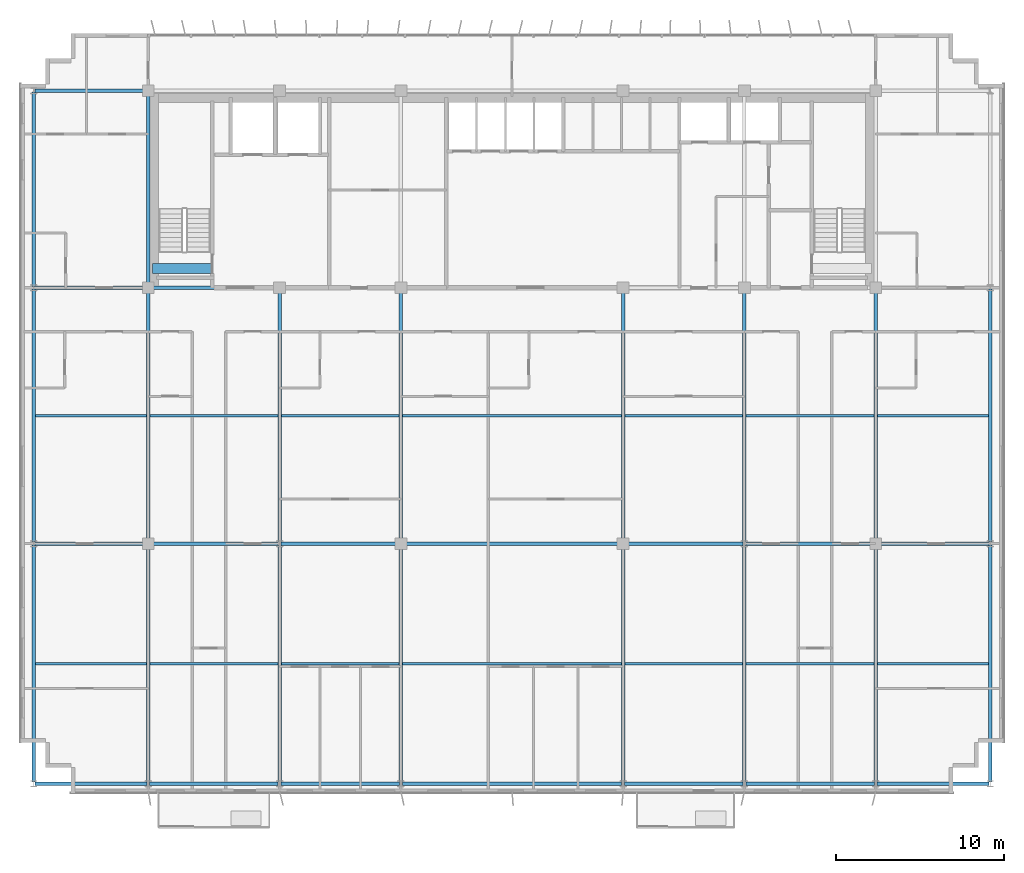
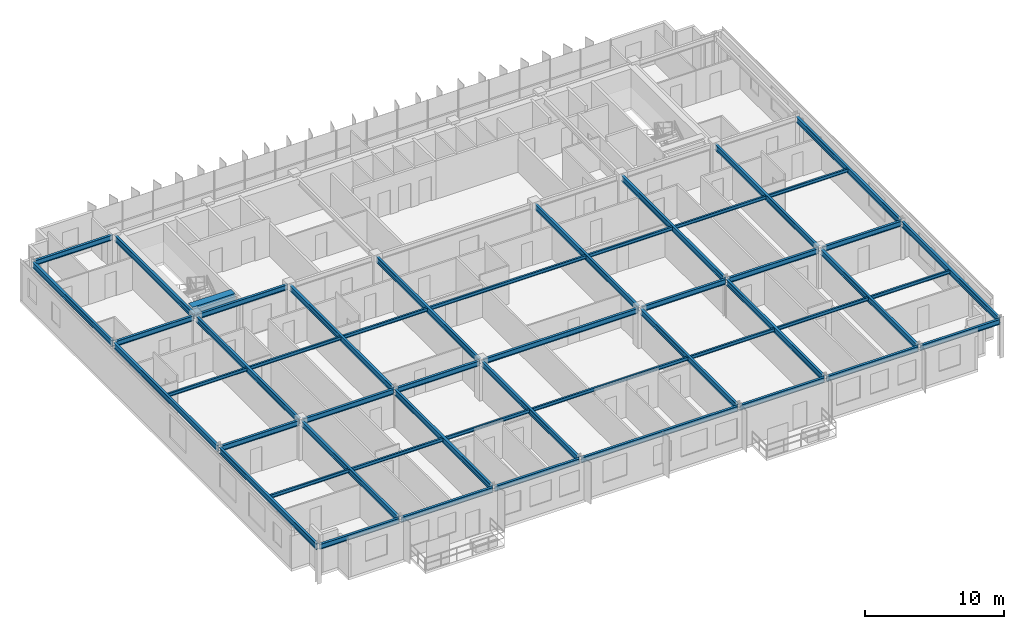
# One storey, part 5 of 23: 50 beams.
"""IFC4 building model written with IfcOpenShell, lengths in metres."""

from ifc_helpers import new_model, si_unit, direction, frame, origin, origin_2d, place, context, subcontext, project, spatial, rectangle, i_section, extrude, source, transform, mapped, material, material_profile, profile_set, type_object, element, save


model = new_model("IFC4")

# Units and contexts
model_context = context("Model", 3, precision=1e-05, world=origin(), true_north=direction((0.0, 1.0)))
body_context = subcontext(model_context, "Body", "Model", "MODEL_VIEW")
ifc_project = project(units=[si_unit("LENGTHUNIT", "METRE"), si_unit("AREAUNIT", "SQUARE_METRE"), si_unit("VOLUMEUNIT", "CUBIC_METRE"), si_unit("PLANEANGLEUNIT", "RADIAN"), si_unit("MASSUNIT", "GRAM", prefix="KILO")], contexts=[model_context])

# Site, building, storey
site_placement = place(None, origin())
site = spatial("IfcSite", under=ifc_project, at=site_placement, CompositionType="ELEMENT")
building_placement = place(site_placement, origin())
building = spatial("IfcBuilding", under=site, at=building_placement, Name="Trelvane Seafront Commons", CompositionType="ELEMENT")
storey_placement = place(building_placement, frame((0.0, 0.0, 212.10009765625)))
storey = spatial("IfcBuildingStorey", under=building, at=storey_placement, Name="L55", CompositionType="ELEMENT", Elevation=212.10009765625)

# Beams
ifc_material_1 = material(Name="Concrete C60/75", Category="concrete")
ifc_material_profile_1 = material_profile(ifc_material_1, rectangle(XDim=0.60009765625, YDim=0.89990234375, at=origin_2d()), Name="RC-600x900")
ifc_profile_set_1 = profile_set([ifc_material_profile_1], Name="Concrete C60/75")
beam_type_1 = type_object("IfcBeamType", Name="STR-LNT-RC600x900", PredefinedType="LINTEL", material=ifc_profile_set_1)
shared_shape_1 = source(origin(), body_context, "Body", "SweptSolid", [
    extrude(rectangle(XDim=0.60009765625, YDim=0.89990234375, at=origin_2d()), origin(), (0.0, 0.0, 1.0), 3.5498046875),
])
beam_1_placement = place(storey_placement, frame((15.85009765625, 34.550048828125, 2.909912109375), z_axis=(1.0, 0.0, 0.0), x_axis=(0.0, 1.0, 0.0)))
element("IfcBeam", 1, at=beam_1_placement, inside=storey, type_object=beam_type_1, Name="L55 Core Coupling Lintel Beam CB-67", PredefinedType="LINTEL", context=body_context, shape_type="MappedRepresentation", body=[
    mapped(shared_shape_1, transform((0.0, 0.0, 0.0), x_axis=(1.0, 0.0, 0.0), y_axis=(0.0, 1.0, 0.0), z_axis=(0.0, 0.0, 1.0), scale=1.0)),
])
ifc_material_2 = material(Name="Steel SM355 (S355)", Category="steel")
ifc_material_profile_2 = material_profile(ifc_material_2, i_section(OverallWidth=0.199951171875, OverallDepth=0.5, WebThickness=0.010009765625, FlangeThickness=0.01611328125, at=origin_2d()), Name="H-500x200x10x16")
ifc_profile_set_2 = profile_set([ifc_material_profile_2], Name="Steel SM355 (S355)")
beam_type_2 = type_object("IfcBeamType", Name="STR-BM-H500", PredefinedType="BEAM", material=ifc_profile_set_2)
shared_shape_2 = source(origin(), body_context, "Body", "SweptSolid", [
    extrude(i_section(OverallWidth=0.199951171875, OverallDepth=0.5, WebThickness=0.010009765625, FlangeThickness=0.01611328125, at=origin_2d()), origin(), (0.0, 0.0, 1.0), 14.89990234375),
])
for number, where, z_axis, x_axis, name in (
    (2, (15.60009765625, 18.35009765625, 3.10986328125), (0.0, 1.0, 0.0), (-1.0, 0.0, 0.0), "L55 Primary Girder G-33"),
    (3, (30.60009765625, 18.35009765625, 3.10986328125), (0.0, 1.0, 0.0), (-1.0, 0.0, 0.0), "L55 Primary Girder G-39"),
    (4, (43.800048828125, 18.35009765625, 3.10986328125), (0.0, 1.0, 0.0), (-1.0, 0.0, 0.0), "L55 Primary Girder G-42"),
    (5, (58.800048828125, 18.35009765625, 3.10986328125), (0.0, 1.0, 0.0), (-1.0, 0.0, 0.0), "L55 Primary Girder G-48"),
):
    element("IfcBeam", number, at=place(storey_placement, frame(where, z_axis=z_axis, x_axis=x_axis)), inside=storey, type_object=beam_type_2, Name=name, PredefinedType="BEAM", context=body_context, shape_type="MappedRepresentation", body=[
        mapped(shared_shape_2, transform((0.0, 0.0, 0.0), x_axis=(1.0, 0.0, 0.0), y_axis=(0.0, 1.0, 0.0), z_axis=(0.0, 0.0, 1.0), scale=1.0)),
    ])
shared_shape_3 = source(origin(), body_context, "Body", "SweptSolid", [
    extrude(i_section(OverallWidth=0.199951171875, OverallDepth=0.5, WebThickness=0.010009765625, FlangeThickness=0.01611328125, at=origin_2d()), origin(), (0.0, 0.0, 1.0), 11.39990234375),
])
beam_2_placement = place(storey_placement, frame((15.60009765625, 33.550048828125, 3.10986328125), z_axis=(0.0, 1.0, 0.0), x_axis=(-1.0, 0.0, 0.0)))
element("IfcBeam", 6, at=beam_2_placement, inside=storey, type_object=beam_type_2, Name="L55 Primary Girder G-34", PredefinedType="BEAM", context=body_context, shape_type="MappedRepresentation", body=[
    mapped(shared_shape_3, transform((0.0, 0.0, 0.0), x_axis=(1.0, 0.0, 0.0), y_axis=(0.0, 1.0, 0.0), z_axis=(0.0, 0.0, 1.0), scale=1.0)),
])
ifc_material_profile_3 = material_profile(ifc_material_2, i_section(OverallWidth=0.199951171875, OverallDepth=0.449951171875, WebThickness=0.009033203125, FlangeThickness=0.013916015625, at=origin_2d()), Name="H-450x200x9x14")
ifc_profile_set_3 = profile_set([ifc_material_profile_3], Name="Steel SM355 (S355)")
beam_type_3 = type_object("IfcBeamType", Name="STR-SPD-H450", PredefinedType="SPANDREL", material=ifc_profile_set_3)
shared_shape_4 = source(origin(), body_context, "Body", "SweptSolid", [
    extrude(i_section(OverallWidth=0.199951171875, OverallDepth=0.449951171875, WebThickness=0.009033203125, FlangeThickness=0.013916015625, at=origin_2d()), origin(), (0.0, 0.0, 1.0), 6.625),
])
for number, where, z_axis, x_axis, name in (
    (7, (8.887451171875, 3.949951171875, 3.135009765625), (1.0, 0.0, 0.0), (0.0, 1.0, 0.0), "L55 Primary Girder G-01"),
    (8, (58.887451171875, 3.949951171875, 3.135009765625), (1.0, 0.0, 0.0), (0.0, 1.0, 0.0), "L55 Primary Girder G-07"),
):
    element("IfcBeam", number, at=place(storey_placement, frame(where, z_axis=z_axis, x_axis=x_axis)), inside=storey, type_object=beam_type_3, Name=name, PredefinedType="SPANDREL", context=body_context, shape_type="MappedRepresentation", body=[
        mapped(shared_shape_4, transform((0.0, 0.0, 0.0), x_axis=(1.0, 0.0, 0.0), y_axis=(0.0, 1.0, 0.0), z_axis=(0.0, 0.0, 1.0), scale=1.0)),
    ])
shared_shape_5 = source(origin(), body_context, "Body", "SweptSolid", [
    extrude(i_section(OverallWidth=0.199951171875, OverallDepth=0.449951171875, WebThickness=0.009033203125, FlangeThickness=0.013916015625, at=origin_2d()), origin(), (0.0, 0.0, 1.0), 7.625),
])
for number, where, z_axis, x_axis, name in (
    (9, (15.6875, 3.949951171875, 3.135009765625), (1.0, 0.0, 0.0), (0.0, 1.0, 0.0), "L55 Primary Girder G-02"),
    (10, (51.08740234375, 3.949951171875, 3.135009765625), (1.0, 0.0, 0.0), (0.0, 1.0, 0.0), "L55 Primary Girder G-06"),
):
    element("IfcBeam", number, at=place(storey_placement, frame(where, z_axis=z_axis, x_axis=x_axis)), inside=storey, type_object=beam_type_3, Name=name, PredefinedType="SPANDREL", context=body_context, shape_type="MappedRepresentation", body=[
        mapped(shared_shape_5, transform((0.0, 0.0, 0.0), x_axis=(1.0, 0.0, 0.0), y_axis=(0.0, 1.0, 0.0), z_axis=(0.0, 0.0, 1.0), scale=1.0)),
    ])
shared_shape_6 = source(origin(), body_context, "Body", "SweptSolid", [
    extrude(i_section(OverallWidth=0.199951171875, OverallDepth=0.449951171875, WebThickness=0.009033203125, FlangeThickness=0.013916015625, at=origin_2d()), origin(), (0.0, 0.0, 1.0), 7.02490234375),
])
beam_3_placement = place(storey_placement, frame((23.487548828125, 3.949951171875, 3.135009765625), z_axis=(1.0, 0.0, 0.0), x_axis=(0.0, 1.0, 0.0)))
element("IfcBeam", 11, at=beam_3_placement, inside=storey, type_object=beam_type_3, Name="L55 Primary Girder G-03", PredefinedType="SPANDREL", context=body_context, shape_type="MappedRepresentation", body=[
    mapped(shared_shape_6, transform((0.0, 0.0, 0.0), x_axis=(1.0, 0.0, 0.0), y_axis=(0.0, 1.0, 0.0), z_axis=(0.0, 0.0, 1.0), scale=1.0)),
])
shared_shape_7 = source(origin(), body_context, "Body", "SweptSolid", [
    extrude(i_section(OverallWidth=0.199951171875, OverallDepth=0.449951171875, WebThickness=0.009033203125, FlangeThickness=0.013916015625, at=origin_2d()), origin(), (0.0, 0.0, 1.0), 7.025146484375),
])
beam_4_placement = place(storey_placement, frame((43.887451171875, 3.949951171875, 3.135009765625), z_axis=(1.0, 0.0, 0.0), x_axis=(0.0, 1.0, 0.0)))
element("IfcBeam", 12, at=beam_4_placement, inside=storey, type_object=beam_type_3, Name="L55 Primary Girder G-05", PredefinedType="SPANDREL", context=body_context, shape_type="MappedRepresentation", body=[
    mapped(shared_shape_7, transform((0.0, 0.0, 0.0), x_axis=(1.0, 0.0, 0.0), y_axis=(0.0, 1.0, 0.0), z_axis=(0.0, 0.0, 1.0), scale=1.0)),
])
shared_shape_8 = source(origin(), body_context, "Body", "SweptSolid", [
    extrude(i_section(OverallWidth=0.199951171875, OverallDepth=0.449951171875, WebThickness=0.009033203125, FlangeThickness=0.013916015625, at=origin_2d()), origin(), (0.0, 0.0, 1.0), 6.5625),
])
for number, where, z_axis, x_axis, name in (
    (13, (8.887451171875, 18.199951171875, 3.135009765625), (1.0, 0.0, 0.0), (0.0, 1.0, 0.0), "L55 Primary Girder G-08"),
    (14, (58.949951171875, 18.199951171875, 3.135009765625), (1.0, 0.0, 0.0), (0.0, 1.0, 0.0), "L55 Primary Girder G-14"),
    (15, (8.887451171875, 33.39990234375, 3.135009765625), (1.0, 0.0, 0.0), (0.0, 1.0, 0.0), "L55 Primary Girder G-15"),
    (16, (8.887451171875, 45.10009765625, 3.135009765625), (1.0, 0.0, 0.0), (0.0, 1.0, 0.0), "L55 Primary Girder G-22"),
):
    element("IfcBeam", number, at=place(storey_placement, frame(where, z_axis=z_axis, x_axis=x_axis)), inside=storey, type_object=beam_type_3, Name=name, PredefinedType="SPANDREL", context=body_context, shape_type="MappedRepresentation", body=[
        mapped(shared_shape_8, transform((0.0, 0.0, 0.0), x_axis=(1.0, 0.0, 0.0), y_axis=(0.0, 1.0, 0.0), z_axis=(0.0, 0.0, 1.0), scale=1.0)),
    ])
shared_shape_9 = source(origin(), body_context, "Body", "SweptSolid", [
    extrude(i_section(OverallWidth=0.199951171875, OverallDepth=0.449951171875, WebThickness=0.009033203125, FlangeThickness=0.013916015625, at=origin_2d()), origin(), (0.0, 0.0, 1.0), 7.5625),
])
for number, where, z_axis, x_axis, name in (
    (17, (15.75, 18.199951171875, 3.135009765625), (1.0, 0.0, 0.0), (0.0, 1.0, 0.0), "L55 Primary Girder G-09"),
    (18, (51.08740234375, 18.199951171875, 3.135009765625), (1.0, 0.0, 0.0), (0.0, 1.0, 0.0), "L55 Primary Girder G-13"),
):
    element("IfcBeam", number, at=place(storey_placement, frame(where, z_axis=z_axis, x_axis=x_axis)), inside=storey, type_object=beam_type_3, Name=name, PredefinedType="SPANDREL", context=body_context, shape_type="MappedRepresentation", body=[
        mapped(shared_shape_9, transform((0.0, 0.0, 0.0), x_axis=(1.0, 0.0, 0.0), y_axis=(0.0, 1.0, 0.0), z_axis=(0.0, 0.0, 1.0), scale=1.0)),
    ])
shared_shape_10 = source(origin(), body_context, "Body", "SweptSolid", [
    extrude(i_section(OverallWidth=0.199951171875, OverallDepth=0.449951171875, WebThickness=0.009033203125, FlangeThickness=0.013916015625, at=origin_2d()), origin(), (0.0, 0.0, 1.0), 6.96240234375),
])
beam_5_placement = place(storey_placement, frame((23.487548828125, 18.199951171875, 3.135009765625), z_axis=(1.0, 0.0, 0.0), x_axis=(0.0, 1.0, 0.0)))
element("IfcBeam", 19, at=beam_5_placement, inside=storey, type_object=beam_type_3, Name="L55 Primary Girder G-10", PredefinedType="SPANDREL", context=body_context, shape_type="MappedRepresentation", body=[
    mapped(shared_shape_10, transform((0.0, 0.0, 0.0), x_axis=(1.0, 0.0, 0.0), y_axis=(0.0, 1.0, 0.0), z_axis=(0.0, 0.0, 1.0), scale=1.0)),
])
shared_shape_11 = source(origin(), body_context, "Body", "SweptSolid", [
    extrude(i_section(OverallWidth=0.199951171875, OverallDepth=0.449951171875, WebThickness=0.009033203125, FlangeThickness=0.013916015625, at=origin_2d()), origin(), (0.0, 0.0, 1.0), 6.962646484375),
])
beam_6_placement = place(storey_placement, frame((43.949951171875, 18.199951171875, 3.135009765625), z_axis=(1.0, 0.0, 0.0), x_axis=(0.0, 1.0, 0.0)))
element("IfcBeam", 20, at=beam_6_placement, inside=storey, type_object=beam_type_3, Name="L55 Primary Girder G-12", PredefinedType="SPANDREL", context=body_context, shape_type="MappedRepresentation", body=[
    mapped(shared_shape_11, transform((0.0, 0.0, 0.0), x_axis=(1.0, 0.0, 0.0), y_axis=(0.0, 1.0, 0.0), z_axis=(0.0, 0.0, 1.0), scale=1.0)),
])
shared_shape_12 = source(origin(), body_context, "Body", "SweptSolid", [
    extrude(i_section(OverallWidth=0.199951171875, OverallDepth=0.449951171875, WebThickness=0.009033203125, FlangeThickness=0.013916015625, at=origin_2d()), origin(), (0.0, 0.0, 1.0), 7.5),
])
beam_7_placement = place(storey_placement, frame((15.75, 33.39990234375, 3.135009765625), z_axis=(1.0, 0.0, 0.0), x_axis=(0.0, 1.0, 0.0)))
element("IfcBeam", 21, at=beam_7_placement, inside=storey, type_object=beam_type_3, Name="L55 Primary Girder G-16", PredefinedType="SPANDREL", context=body_context, shape_type="MappedRepresentation", body=[
    mapped(shared_shape_12, transform((0.0, 0.0, 0.0), x_axis=(1.0, 0.0, 0.0), y_axis=(0.0, 1.0, 0.0), z_axis=(0.0, 0.0, 1.0), scale=1.0)),
])
shared_shape_13 = source(origin(), body_context, "Body", "SweptSolid", [
    extrude(i_section(OverallWidth=0.199951171875, OverallDepth=0.449951171875, WebThickness=0.009033203125, FlangeThickness=0.013916015625, at=origin_2d()), origin(), (0.0, 0.0, 1.0), 12.89990234375),
])
beam_8_placement = place(storey_placement, frame((30.75, 18.199951171875, 3.135009765625), z_axis=(1.0, 0.0, 0.0), x_axis=(0.0, 1.0, 0.0)))
element("IfcBeam", 22, at=beam_8_placement, inside=storey, type_object=beam_type_3, Name="L55 Primary Girder G-11", PredefinedType="SPANDREL", context=body_context, shape_type="MappedRepresentation", body=[
    mapped(shared_shape_13, transform((0.0, 0.0, 0.0), x_axis=(1.0, 0.0, 0.0), y_axis=(0.0, 1.0, 0.0), z_axis=(0.0, 0.0, 1.0), scale=1.0)),
])
shared_shape_14 = source(origin(), body_context, "Body", "SweptSolid", [
    extrude(i_section(OverallWidth=0.199951171875, OverallDepth=0.5, WebThickness=0.010009765625, FlangeThickness=0.01611328125, at=origin_2d()), origin(), (0.0, 0.0, 1.0), 14.074951171875),
])
for number, where, z_axis, x_axis, name in (
    (23, (8.800048828125, 4.03759765625, 3.10986328125), (0.0, 1.0, 0.0), (-1.0, 0.0, 0.0), "L55 Primary Girder G-29"),
    (24, (23.39990234375, 4.03759765625, 3.10986328125), (0.0, 1.0, 0.0), (-1.0, 0.0, 0.0), "L55 Primary Girder G-35"),
    (25, (51.0, 4.03759765625, 3.10986328125), (0.0, 1.0, 0.0), (-1.0, 0.0, 0.0), "L55 Primary Girder G-44"),
    (26, (65.60009765625, 4.03759765625, 3.10986328125), (0.0, 1.0, 0.0), (-1.0, 0.0, 0.0), "L55 Primary Girder G-50"),
):
    element("IfcBeam", number, at=place(storey_placement, frame(where, z_axis=z_axis, x_axis=x_axis)), inside=storey, type_object=beam_type_2, Name=name, PredefinedType="BEAM", context=body_context, shape_type="MappedRepresentation", body=[
        mapped(shared_shape_14, transform((0.0, 0.0, 0.0), x_axis=(1.0, 0.0, 0.0), y_axis=(0.0, 1.0, 0.0), z_axis=(0.0, 0.0, 1.0), scale=1.0)),
    ])
shared_shape_15 = source(origin(), body_context, "Body", "SweptSolid", [
    extrude(i_section(OverallWidth=0.199951171875, OverallDepth=0.5, WebThickness=0.010009765625, FlangeThickness=0.01611328125, at=origin_2d()), origin(), (0.0, 0.0, 1.0), 15.02490234375),
])
for number, where, z_axis, x_axis, name in (
    (27, (8.800048828125, 18.28759765625, 3.10986328125), (0.0, 1.0, 0.0), (-1.0, 0.0, 0.0), "L55 Primary Girder G-30"),
    (28, (65.60009765625, 18.28759765625, 3.10986328125), (0.0, 1.0, 0.0), (-1.0, 0.0, 0.0), "L55 Primary Girder G-51"),
):
    element("IfcBeam", number, at=place(storey_placement, frame(where, z_axis=z_axis, x_axis=x_axis)), inside=storey, type_object=beam_type_2, Name=name, PredefinedType="BEAM", context=body_context, shape_type="MappedRepresentation", body=[
        mapped(shared_shape_15, transform((0.0, 0.0, 0.0), x_axis=(1.0, 0.0, 0.0), y_axis=(0.0, 1.0, 0.0), z_axis=(0.0, 0.0, 1.0), scale=1.0)),
    ])
shared_shape_16 = source(origin(), body_context, "Body", "SweptSolid", [
    extrude(i_section(OverallWidth=0.199951171875, OverallDepth=0.5, WebThickness=0.010009765625, FlangeThickness=0.01611328125, at=origin_2d()), origin(), (0.0, 0.0, 1.0), 11.52490234375),
])
beam_9_placement = place(storey_placement, frame((8.800048828125, 33.487548828125, 3.10986328125), z_axis=(0.0, 1.0, 0.0), x_axis=(-1.0, 0.0, 0.0)))
element("IfcBeam", 29, at=beam_9_placement, inside=storey, type_object=beam_type_2, Name="L55 Primary Girder G-31", PredefinedType="BEAM", context=body_context, shape_type="MappedRepresentation", body=[
    mapped(shared_shape_16, transform((0.0, 0.0, 0.0), x_axis=(1.0, 0.0, 0.0), y_axis=(0.0, 1.0, 0.0), z_axis=(0.0, 0.0, 1.0), scale=1.0)),
])
shared_shape_17 = source(origin(), body_context, "Body", "SweptSolid", [
    extrude(i_section(OverallWidth=0.199951171875, OverallDepth=0.5, WebThickness=0.010009765625, FlangeThickness=0.01611328125, at=origin_2d()), origin(), (0.0, 0.0, 1.0), 14.012451171875),
])
for number, where, z_axis, x_axis, name in (
    (30, (15.60009765625, 4.03759765625, 3.10986328125), (0.0, 1.0, 0.0), (-1.0, 0.0, 0.0), "L55 Primary Girder G-32"),
    (31, (30.60009765625, 4.03759765625, 3.10986328125), (0.0, 1.0, 0.0), (-1.0, 0.0, 0.0), "L55 Primary Girder G-38"),
    (32, (43.800048828125, 4.03759765625, 3.10986328125), (0.0, 1.0, 0.0), (-1.0, 0.0, 0.0), "L55 Primary Girder G-41"),
    (33, (58.800048828125, 4.03759765625, 3.10986328125), (0.0, 1.0, 0.0), (-1.0, 0.0, 0.0), "L55 Primary Girder G-47"),
):
    element("IfcBeam", number, at=place(storey_placement, frame(where, z_axis=z_axis, x_axis=x_axis)), inside=storey, type_object=beam_type_2, Name=name, PredefinedType="BEAM", context=body_context, shape_type="MappedRepresentation", body=[
        mapped(shared_shape_17, transform((0.0, 0.0, 0.0), x_axis=(1.0, 0.0, 0.0), y_axis=(0.0, 1.0, 0.0), z_axis=(0.0, 0.0, 1.0), scale=1.0)),
    ])
shared_shape_18 = source(origin(), body_context, "Body", "SweptSolid", [
    extrude(i_section(OverallWidth=0.199951171875, OverallDepth=0.5, WebThickness=0.010009765625, FlangeThickness=0.01611328125, at=origin_2d()), origin(), (0.0, 0.0, 1.0), 14.96240234375),
])
for number, where, z_axis, x_axis, name in (
    (34, (23.39990234375, 18.28759765625, 3.10986328125), (0.0, 1.0, 0.0), (-1.0, 0.0, 0.0), "L55 Primary Girder G-36"),
    (35, (51.0, 18.28759765625, 3.10986328125), (0.0, 1.0, 0.0), (-1.0, 0.0, 0.0), "L55 Primary Girder G-45"),
):
    element("IfcBeam", number, at=place(storey_placement, frame(where, z_axis=z_axis, x_axis=x_axis)), inside=storey, type_object=beam_type_2, Name=name, PredefinedType="BEAM", context=body_context, shape_type="MappedRepresentation", body=[
        mapped(shared_shape_18, transform((0.0, 0.0, 0.0), x_axis=(1.0, 0.0, 0.0), y_axis=(0.0, 1.0, 0.0), z_axis=(0.0, 0.0, 1.0), scale=1.0)),
    ])
ifc_material_profile_4 = material_profile(ifc_material_2, i_section(OverallWidth=0.14990234375, OverallDepth=0.300048828125, WebThickness=0.006591796875, FlangeThickness=0.009033203125, at=origin_2d()), Name="H-300x150x6.5x9")
ifc_profile_set_4 = profile_set([ifc_material_profile_4], Name="Steel SM355 (S355)")
beam_type_4 = type_object("IfcBeamType", Name="STR-JST-H300", PredefinedType="JOIST", material=ifc_profile_set_4)
shared_shape_19 = source(origin(), body_context, "Body", "SweptSolid", [
    extrude(i_section(OverallWidth=0.14990234375, OverallDepth=0.300048828125, WebThickness=0.006591796875, FlangeThickness=0.009033203125, at=origin_2d()), origin(), (0.0, 0.0, 1.0), 6.60009765625),
])
for number, where, z_axis, x_axis, name in (
    (36, (8.89990234375, 11.074951171875, 3.2099609375), (1.0, 0.0, 0.0), (0.0, 1.0, 0.0), "L55 Secondary Floor Joist B-53"),
    (37, (58.89990234375, 11.074951171875, 3.2099609375), (1.0, 0.0, 0.0), (0.0, 1.0, 0.0), "L55 Secondary Floor Joist B-59"),
    (38, (8.89990234375, 25.800048828125, 3.2099609375), (1.0, 0.0, 0.0), (0.0, 1.0, 0.0), "L55 Secondary Floor Joist B-60"),
    (39, (58.89990234375, 25.800048828125, 3.2099609375), (1.0, 0.0, 0.0), (0.0, 1.0, 0.0), "L55 Secondary Floor Joist B-66"),
):
    element("IfcBeam", number, at=place(storey_placement, frame(where, z_axis=z_axis, x_axis=x_axis)), inside=storey, type_object=beam_type_4, Name=name, PredefinedType="JOIST", context=body_context, shape_type="MappedRepresentation", body=[
        mapped(shared_shape_19, transform((0.0, 0.0, 0.0), x_axis=(1.0, 0.0, 0.0), y_axis=(0.0, 1.0, 0.0), z_axis=(0.0, 0.0, 1.0), scale=1.0)),
    ])
shared_shape_20 = source(origin(), body_context, "Body", "SweptSolid", [
    extrude(i_section(OverallWidth=0.14990234375, OverallDepth=0.300048828125, WebThickness=0.006591796875, FlangeThickness=0.009033203125, at=origin_2d()), origin(), (0.0, 0.0, 1.0), 7.60009765625),
])
for number, where, z_axis, x_axis, name in (
    (40, (15.699951171875, 11.074951171875, 3.2099609375), (1.0, 0.0, 0.0), (0.0, 1.0, 0.0), "L55 Secondary Floor Joist B-54"),
    (41, (15.699951171875, 25.800048828125, 3.2099609375), (1.0, 0.0, 0.0), (0.0, 1.0, 0.0), "L55 Secondary Floor Joist B-61"),
):
    element("IfcBeam", number, at=place(storey_placement, frame(where, z_axis=z_axis, x_axis=x_axis)), inside=storey, type_object=beam_type_4, Name=name, PredefinedType="JOIST", context=body_context, shape_type="MappedRepresentation", body=[
        mapped(shared_shape_20, transform((0.0, 0.0, 0.0), x_axis=(1.0, 0.0, 0.0), y_axis=(0.0, 1.0, 0.0), z_axis=(0.0, 0.0, 1.0), scale=1.0)),
    ])
shared_shape_21 = source(origin(), body_context, "Body", "SweptSolid", [
    extrude(i_section(OverallWidth=0.14990234375, OverallDepth=0.300048828125, WebThickness=0.006591796875, FlangeThickness=0.009033203125, at=origin_2d()), origin(), (0.0, 0.0, 1.0), 7.0),
])
for number, where, z_axis, x_axis, name in (
    (42, (23.5, 11.074951171875, 3.2099609375), (1.0, 0.0, 0.0), (0.0, 1.0, 0.0), "L55 Secondary Floor Joist B-55"),
    (43, (43.89990234375, 11.074951171875, 3.2099609375), (1.0, 0.0, 0.0), (0.0, 1.0, 0.0), "L55 Secondary Floor Joist B-57"),
    (44, (23.5, 25.800048828125, 3.2099609375), (1.0, 0.0, 0.0), (0.0, 1.0, 0.0), "L55 Secondary Floor Joist B-62"),
    (45, (43.89990234375, 25.800048828125, 3.2099609375), (1.0, 0.0, 0.0), (0.0, 1.0, 0.0), "L55 Secondary Floor Joist B-64"),
):
    element("IfcBeam", number, at=place(storey_placement, frame(where, z_axis=z_axis, x_axis=x_axis)), inside=storey, type_object=beam_type_4, Name=name, PredefinedType="JOIST", context=body_context, shape_type="MappedRepresentation", body=[
        mapped(shared_shape_21, transform((0.0, 0.0, 0.0), x_axis=(1.0, 0.0, 0.0), y_axis=(0.0, 1.0, 0.0), z_axis=(0.0, 0.0, 1.0), scale=1.0)),
    ])
shared_shape_22 = source(origin(), body_context, "Body", "SweptSolid", [
    extrude(i_section(OverallWidth=0.14990234375, OverallDepth=0.300048828125, WebThickness=0.006591796875, FlangeThickness=0.009033203125, at=origin_2d()), origin(), (0.0, 0.0, 1.0), 7.599853515625),
])
for number, where, z_axis, x_axis, name in (
    (46, (51.10009765625, 11.074951171875, 3.2099609375), (1.0, 0.0, 0.0), (0.0, 1.0, 0.0), "L55 Secondary Floor Joist B-58"),
    (47, (51.10009765625, 25.800048828125, 3.2099609375), (1.0, 0.0, 0.0), (0.0, 1.0, 0.0), "L55 Secondary Floor Joist B-65"),
):
    element("IfcBeam", number, at=place(storey_placement, frame(where, z_axis=z_axis, x_axis=x_axis)), inside=storey, type_object=beam_type_4, Name=name, PredefinedType="JOIST", context=body_context, shape_type="MappedRepresentation", body=[
        mapped(shared_shape_22, transform((0.0, 0.0, 0.0), x_axis=(1.0, 0.0, 0.0), y_axis=(0.0, 1.0, 0.0), z_axis=(0.0, 0.0, 1.0), scale=1.0)),
    ])
shared_shape_23 = source(origin(), body_context, "Body", "SweptSolid", [
    extrude(i_section(OverallWidth=0.14990234375, OverallDepth=0.300048828125, WebThickness=0.006591796875, FlangeThickness=0.009033203125, at=origin_2d()), origin(), (0.0, 0.0, 1.0), 13.0),
])
for number, where, z_axis, x_axis, name in (
    (48, (30.699951171875, 11.074951171875, 3.2099609375), (1.0, 0.0, 0.0), (0.0, 1.0, 0.0), "L55 Secondary Floor Joist B-56"),
    (49, (30.699951171875, 25.800048828125, 3.2099609375), (1.0, 0.0, 0.0), (0.0, 1.0, 0.0), "L55 Secondary Floor Joist B-63"),
):
    element("IfcBeam", number, at=place(storey_placement, frame(where, z_axis=z_axis, x_axis=x_axis)), inside=storey, type_object=beam_type_4, Name=name, PredefinedType="JOIST", context=body_context, shape_type="MappedRepresentation", body=[
        mapped(shared_shape_23, transform((0.0, 0.0, 0.0), x_axis=(1.0, 0.0, 0.0), y_axis=(0.0, 1.0, 0.0), z_axis=(0.0, 0.0, 1.0), scale=1.0)),
    ])
shared_shape_24 = source(origin(), body_context, "Body", "SweptSolid", [
    extrude(i_section(OverallWidth=0.199951171875, OverallDepth=0.449951171875, WebThickness=0.009033203125, FlangeThickness=0.013916015625, at=origin_2d()), origin(), (0.0, 0.0, 1.0), 13.02490234375),
])
beam_10_placement = place(storey_placement, frame((30.6875, 3.949951171875, 3.135009765625), z_axis=(1.0, 0.0, 0.0), x_axis=(0.0, 1.0, 0.0)))
element("IfcBeam", 50, at=beam_10_placement, inside=storey, type_object=beam_type_3, Name="L55 Primary Girder G-04", PredefinedType="SPANDREL", context=body_context, shape_type="MappedRepresentation", body=[
    mapped(shared_shape_24, transform((0.0, 0.0, 0.0), x_axis=(1.0, 0.0, 0.0), y_axis=(0.0, 1.0, 0.0), z_axis=(0.0, 0.0, 1.0), scale=1.0)),
])

save(model, "model.ifc")
